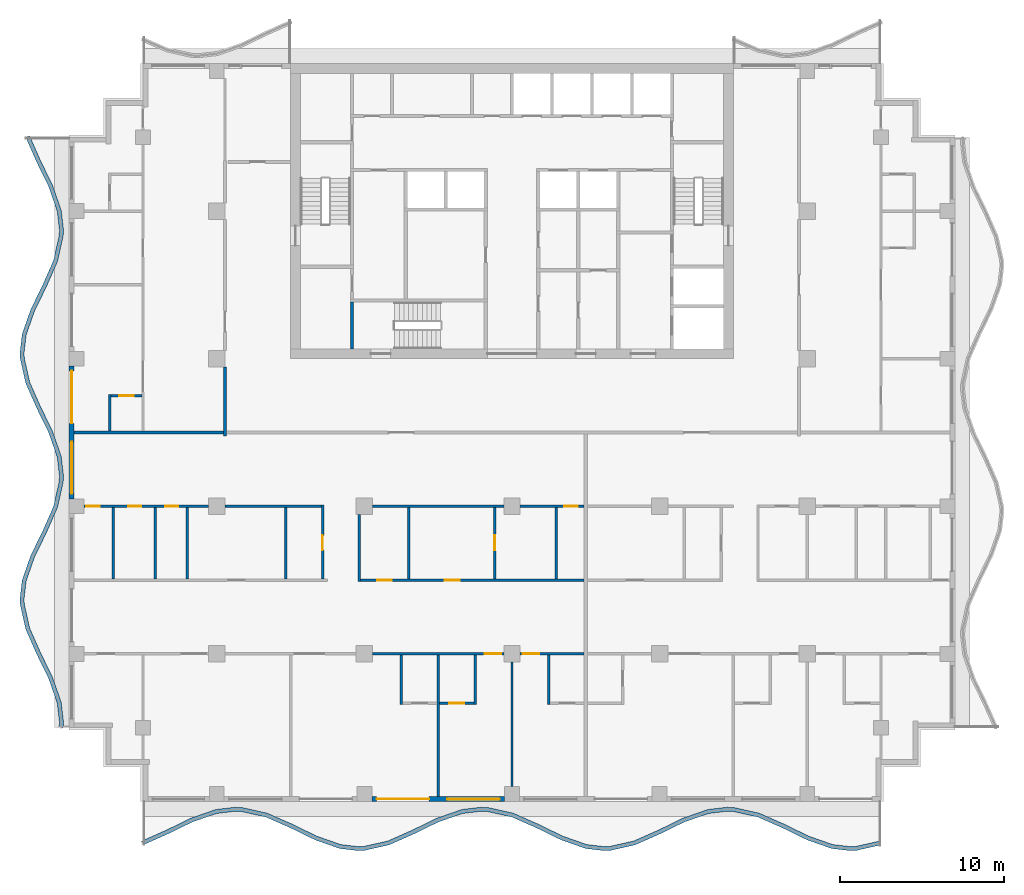
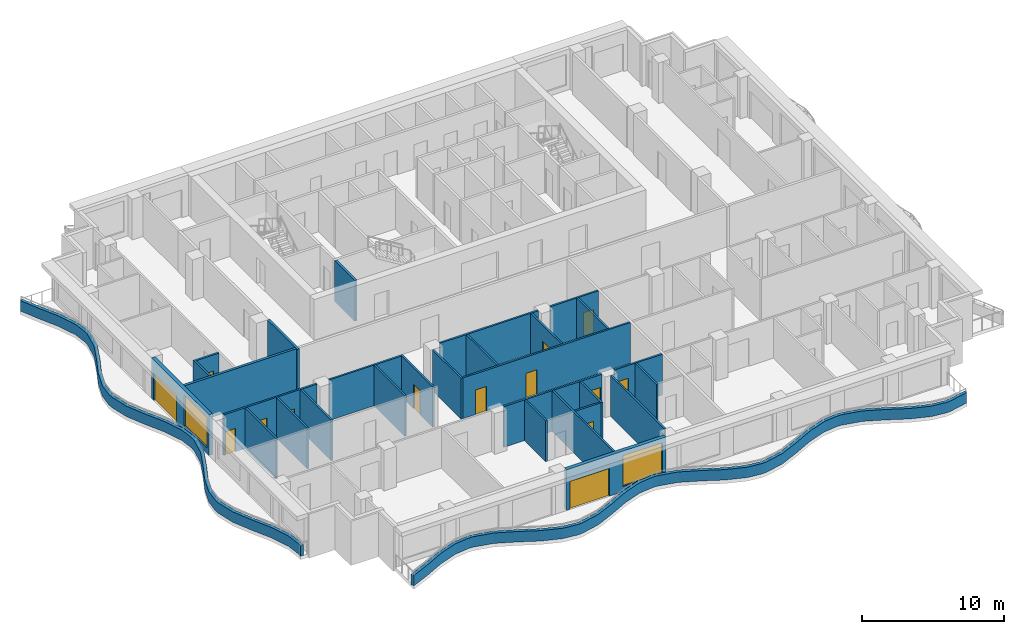
# One storey, part 2 of 11: 31 walls, 14 doors, 2 windows, 16 openings.
"""IFC4 building model written with IfcOpenShell, lengths in metres."""

from ifc_helpers import new_model, si_unit, direction, frame, frame_2d, origin, place, context, subcontext, project, spatial, polyline, rectangle, outline, extrude, material, layer, layer_set, type_object, element, fill, save


model = new_model("IFC4")

# Units and contexts
model_context = context("Model", 3, precision=1e-05, world=origin(), true_north=direction((0.0, 1.0)))
body_context = subcontext(model_context, "Body", "Model", "MODEL_VIEW")
ifc_project = project(units=[si_unit("LENGTHUNIT", "METRE"), si_unit("AREAUNIT", "SQUARE_METRE"), si_unit("VOLUMEUNIT", "CUBIC_METRE"), si_unit("PLANEANGLEUNIT", "RADIAN"), si_unit("MASSUNIT", "GRAM", prefix="KILO")], contexts=[model_context])

# Site, building, storey
site_placement = place(None, origin())
site = spatial("IfcSite", under=ifc_project, at=site_placement, CompositionType="ELEMENT")
building_placement = place(site_placement, origin())
building = spatial("IfcBuilding", under=site, at=building_placement, Name="Orbiselva Terraces", CompositionType="ELEMENT")
storey_placement = place(building_placement, frame((0.0, 0.0, 254.0)))
storey = spatial("IfcBuildingStorey", under=building, at=storey_placement, Name="L64", CompositionType="ELEMENT", Elevation=254.0)

# Walls
ifc_material_1 = material(Name="Concrete C60/75", Category="concrete")
ifc_layer_1 = layer(ifc_material_1, 0.2)
ifc_layer_set_1 = layer_set([ifc_layer_1], Name="Concrete C60/75")
wall_type_1 = type_object("IfcWallType", Name="CORE-WALL-SHEAR-200", PredefinedType="SHEAR", material=ifc_layer_set_1)
wall_1_placement = place(storey_placement, frame((-9.75, 5.1, 0.0), z_axis=(0.0, 0.0, 1.0), x_axis=(0.0, 1.0, 0.0)))
element("IfcWall", 1, at=wall_1_placement, inside=storey, type_object=wall_type_1, Name="L64 core wall 03", PredefinedType="SHEAR", context=body_context, shape_type="SweptSolid", body=[
    extrude(rectangle(XDim=2.85, YDim=0.2, at=frame_2d((1.425, 0.0))), origin(), (0.0, 0.0, 1.0), 3.5),
])
ifc_material_2 = material(Name="Concrete C40/50", Category="concrete")
ifc_layer_2 = layer(ifc_material_2, 0.25)
ifc_layer_set_2 = layer_set([ifc_layer_2], Name="Concrete C40/50")
wall_type_2 = type_object("IfcWallType", Name="ENV-PLANTER-250x900", PredefinedType="USERDEFINED", material=ifc_layer_set_2)
wall_2_placement = place(storey_placement, origin())
element("IfcWall", 2, at=wall_2_placement, inside=storey, type_object=wall_type_2, Name="Balcony planter L64 S", ObjectType="PLANTER", PredefinedType="USERDEFINED", context=body_context, shape_type="SweptSolid", body=[
    extrude(outline(polyline([(-22.5, -25.148528), (-21.0, -24.487721), (-19.5, -23.755211), (-18.0, -23.230792), (-16.875, -23.1), (-16.5, -23.114774), (-15.0, -23.451472), (-13.5, -24.112279), (-12.0, -24.844789), (-10.5, -25.369208), (-9.375, -25.5), (-9.0, -25.485226), (-7.5, -25.148528), (-6.0, -24.487721), (-4.5, -23.755211), (-3.0, -23.230792), (-1.875, -23.1), (-1.5, -23.114774), (0.0, -23.451472), (1.5, -24.112279), (3.0, -24.844789), (4.5, -25.369208), (5.625, -25.5), (6.0, -25.485226), (7.5, -25.148528), (9.0, -24.487721), (10.5, -23.755211), (12.0, -23.230792), (13.125, -23.1), (13.5, -23.114774), (15.0, -23.451472), (16.5, -24.112279), (18.0, -24.844789), (19.5, -25.369208), (20.625, -25.5), (21.0, -25.485226), (22.5, -25.148528), (22.445246, -24.904598), (20.967435, -25.236315), (20.634572, -25.249429), (19.556371, -25.124078), (18.09644, -24.613667), (16.605286, -23.885477), (15.078508, -23.212874), (13.532565, -22.865863), (13.115428, -22.849429), (11.943629, -22.985662), (10.40356, -23.524089), (8.894714, -24.260919), (7.421492, -24.90993), (5.967435, -25.236315), (5.634572, -25.249429), (4.556371, -25.124078), (3.09644, -24.613667), (1.605286, -23.885477), (0.078508, -23.212874), (-1.467435, -22.865863), (-1.884572, -22.849429), (-3.056371, -22.985662), (-4.59644, -23.524089), (-6.105286, -24.260919), (-7.578508, -24.90993), (-9.032565, -25.236315), (-9.365428, -25.249429), (-10.443629, -25.124078), (-11.90356, -24.613667), (-13.394714, -23.885477), (-14.921492, -23.212874), (-16.467435, -22.865863), (-16.884572, -22.849429), (-18.056371, -22.985662), (-19.59644, -23.524089), (-21.105286, -24.260919), (-22.600788, -24.919745), (-22.5, -25.148528)])), origin(), (0.0, 0.0, 1.0), 0.9),
])
wall_3_placement = place(storey_placement, origin())
element("IfcWall", 3, at=wall_3_placement, inside=storey, type_object=wall_type_2, Name="Balcony planter L64 W", ObjectType="PLANTER", PredefinedType="USERDEFINED", context=body_context, shape_type="SweptSolid", body=[
    extrude(outline(polyline([(-29.648528, 18.0), (-28.987721, 16.5), (-28.255211, 15.0), (-27.730792, 13.5), (-27.6, 12.375), (-27.614774, 12.0), (-27.951472, 10.5), (-28.612279, 9.0), (-29.344789, 7.5), (-29.869208, 6.0), (-30.0, 4.875), (-29.985226, 4.5), (-29.648528, 3.0), (-28.987721, 1.5), (-28.255211, 0.0), (-27.730792, -1.5), (-27.6, -2.625), (-27.614774, -3.0), (-27.951472, -4.5), (-28.612279, -6.0), (-29.344789, -7.5), (-29.869208, -9.0), (-30.0, -10.125), (-29.985226, -10.5), (-29.648528, -12.0), (-28.987721, -13.5), (-28.255211, -15.0), (-27.730792, -16.5), (-27.6, -17.625), (-27.614774, -18.0), (-27.364968, -18.009842), (-27.349429, -17.615428), (-27.485662, -16.443629), (-28.024089, -14.90356), (-28.760919, -13.394714), (-29.40993, -11.921492), (-29.736315, -10.467435), (-29.749429, -10.134572), (-29.624078, -9.056371), (-29.113667, -7.59644), (-28.385477, -6.105286), (-27.712874, -4.578508), (-27.365863, -3.032565), (-27.349429, -2.615428), (-27.485662, -1.443629), (-28.024089, 0.09644), (-28.760919, 1.605286), (-29.40993, 3.078508), (-29.736315, 4.532565), (-29.749429, 4.865428), (-29.624078, 5.943629), (-29.113667, 7.40356), (-28.385477, 8.894714), (-27.712874, 10.421492), (-27.365863, 11.967435), (-27.349429, 12.384572), (-27.485662, 13.556371), (-28.024089, 15.09644), (-28.760919, 16.605286), (-29.419745, 18.100788), (-29.648528, 18.0)])), origin(), (0.0, 0.0, 1.0), 0.9),
])

# Wall, openings, door, window
ifc_material_3 = material(Name="Terracotta cladding on masonry backing", Category="masonry")
ifc_layer_3 = layer(ifc_material_3, 0.3)
ifc_layer_set_3 = layer_set([ifc_layer_3], Name="Terracotta cladding on masonry backing")
wall_type_3 = type_object("IfcWallType", Name="ENV-WALL-TERRACOTTA-300", PredefinedType="SOLIDWALL", material=ifc_layer_set_3)
wall_4_placement = place(storey_placement, frame((-0.45, -22.35, 0.0), z_axis=(0.0, 0.0, 1.0), x_axis=(-1.0, 0.0, 0.0)))
wall_4 = element("IfcWall", 4, at=wall_4_placement, inside=storey, type_object=wall_type_3, Name="Facade wall L64 S", PredefinedType="SOLIDWALL", context=body_context, shape_type="SweptSolid", body=[
    extrude(rectangle(XDim=8.1, YDim=0.3, at=frame_2d((4.05, 0.0))), origin(), (0.0, 0.0, 1.0), 3.5),
])
opening_1_placement = place(wall_4_placement, frame((4.6, 0.0, 0.0)))
opening_1 = element("IfcOpeningElement", 5, at=opening_1_placement, cuts=wall_4, Name="Opening Z5-B-E02", PredefinedType="OPENING", context=body_context, shape_type="SweptSolid", body=[
    extrude(rectangle(XDim=3.2, YDim=2.4, at=frame_2d((1.6, 1.2))), frame((0.0, 0.16, 0.0), z_axis=(0.0, -1.0, 0.0), x_axis=(1.0, 0.0, 0.0)), (0.0, 0.0, 1.0), 0.32),
])
opening_2_placement = place(wall_4_placement, frame((0.3, 0.0, 0.45)))
opening_2 = element("IfcOpeningElement", 6, at=opening_2_placement, cuts=wall_4, Name="Opening WN17", PredefinedType="OPENING", context=body_context, shape_type="SweptSolid", body=[
    extrude(rectangle(XDim=3.2, YDim=2.65, at=frame_2d((1.6, 1.325))), frame((0.0, 0.16, 0.0), z_axis=(0.0, -1.0, 0.0), x_axis=(1.0, 0.0, 0.0)), (0.0, 0.0, 1.0), 0.32),
])
ifc_material_4 = material(Name="Clear low-e glazing in aluminium frame", Category="aluminium")
door_type_1 = type_object("IfcDoorType", Name="BALCONY DOOR 3200 X 2400", OperationType="DOUBLE_DOOR_SLIDING", PredefinedType="DOOR", material=ifc_material_4)
door_1_placement = place(opening_1_placement, origin())
door_1 = element("IfcDoor", 7, at=door_1_placement, inside=storey, type_object=door_type_1, Name="Z5-B-E02", OperationType="SINGLE_SWING_LEFT", OverallHeight=2.4, OverallWidth=3.2, PredefinedType="DOOR", context=body_context, shape_type="SweptSolid", body=[
    extrude(rectangle(XDim=3.2, YDim=2.4, at=frame_2d((1.6, 1.2))), frame((0.0, 0.025, 0.0), z_axis=(0.0, -1.0, 0.0), x_axis=(1.0, 0.0, 0.0)), (0.0, 0.0, 1.0), 0.05),
])
fill(opening_1, door_1)
window_type = type_object("IfcWindowType", Name="WINDOW 3200 X 2650 S450", PartitioningType="TRIPLE_PANEL_VERTICAL", PredefinedType="WINDOW", material=ifc_material_4)
window_1_placement = place(opening_2_placement, origin())
window_1 = element("IfcWindow", 8, at=window_1_placement, inside=storey, type_object=window_type, Name="Window L64 S", OverallHeight=2.65, OverallWidth=3.2, PartitioningType="SINGLE_PANEL", PredefinedType="WINDOW", context=body_context, shape_type="SweptSolid", body=[
    extrude(rectangle(XDim=3.2, YDim=2.65, at=frame_2d((1.6, 1.325))), frame((0.0, 0.03, 0.0), z_axis=(0.0, -1.0, 0.0), x_axis=(1.0, 0.0, 0.0)), (0.0, 0.0, 1.0), 0.06),
])
fill(opening_2, window_1)

wall_5_placement = place(storey_placement, frame((-26.85, -4.05, 0.0), z_axis=(0.0, 0.0, 1.0), x_axis=(0.0, 1.0, 0.0)))
wall_5 = element("IfcWall", 9, at=wall_5_placement, inside=storey, type_object=wall_type_3, Name="Facade wall L64 W", PredefinedType="SOLIDWALL", context=body_context, shape_type="SweptSolid", body=[
    extrude(rectangle(XDim=8.1, YDim=0.3, at=frame_2d((4.05, 0.0))), origin(), (0.0, 0.0, 1.0), 3.5),
])
opening_3_placement = place(wall_5_placement, frame((4.6, 0.0, 0.0)))
opening_3 = element("IfcOpeningElement", 10, at=opening_3_placement, cuts=wall_5, Name="Opening Z5-B-E11", PredefinedType="OPENING", context=body_context, shape_type="SweptSolid", body=[
    extrude(rectangle(XDim=3.2, YDim=2.4, at=frame_2d((1.6, 1.2))), frame((0.0, 0.16, 0.0), z_axis=(0.0, -1.0, 0.0), x_axis=(1.0, 0.0, 0.0)), (0.0, 0.0, 1.0), 0.32),
])
opening_4_placement = place(wall_5_placement, frame((0.3, 0.0, 0.45)))
opening_4 = element("IfcOpeningElement", 11, at=opening_4_placement, cuts=wall_5, Name="Opening WN17", PredefinedType="OPENING", context=body_context, shape_type="SweptSolid", body=[
    extrude(rectangle(XDim=3.2, YDim=2.65, at=frame_2d((1.6, 1.325))), frame((0.0, 0.16, 0.0), z_axis=(0.0, -1.0, 0.0), x_axis=(1.0, 0.0, 0.0)), (0.0, 0.0, 1.0), 0.32),
])
door_2_placement = place(opening_3_placement, origin())
door_2 = element("IfcDoor", 12, at=door_2_placement, inside=storey, type_object=door_type_1, Name="Z5-B-E11", OperationType="SINGLE_SWING_LEFT", OverallHeight=2.4, OverallWidth=3.2, PredefinedType="DOOR", context=body_context, shape_type="SweptSolid", body=[
    extrude(rectangle(XDim=3.2, YDim=2.4, at=frame_2d((1.6, 1.2))), frame((0.0, 0.025, 0.0), z_axis=(0.0, -1.0, 0.0), x_axis=(1.0, 0.0, 0.0)), (0.0, 0.0, 1.0), 0.05),
])
fill(opening_3, door_2)
window_2_placement = place(opening_4_placement, origin())
window_2 = element("IfcWindow", 13, at=window_2_placement, inside=storey, type_object=window_type, Name="Window L64 W", OverallHeight=2.65, OverallWidth=3.2, PartitioningType="SINGLE_PANEL", PredefinedType="WINDOW", context=body_context, shape_type="SweptSolid", body=[
    extrude(rectangle(XDim=3.2, YDim=2.65, at=frame_2d((1.6, 1.325))), frame((0.0, 0.03, 0.0), z_axis=(0.0, -1.0, 0.0), x_axis=(1.0, 0.0, 0.0)), (0.0, 0.0, 1.0), 0.06),
])
fill(opening_4, window_2)

# Wall
ifc_material_5 = material(Name="Plasterboard on steel stud partition", Category="steel")
ifc_layer_4 = layer(ifc_material_5, 0.2)
ifc_layer_set_4 = layer_set([ifc_layer_4], Name="Plasterboard on steel stud partition")
wall_type_4 = type_object("IfcWallType", Name="UNIT-ENTRANCE-WALL-200", PredefinedType="PARTITIONING", material=ifc_layer_set_4)
wall_6_placement = place(storey_placement, frame((-17.5, -0.2, 0.0), z_axis=(0.0, 0.0, 1.0), x_axis=(0.0, 1.0, 0.0)))
element("IfcWall", 14, at=wall_6_placement, inside=storey, type_object=wall_type_4, Name="PARTITION L64-048", PredefinedType="PARTITIONING", context=body_context, shape_type="SweptSolid", body=[
    extrude(rectangle(XDim=4.2, YDim=0.2, at=frame_2d((2.1, 0.0))), origin(), (0.0, 0.0, 1.0), 3.5),
])

# Wall, opening, door
ifc_layer_5 = layer(ifc_material_5, 0.15)
ifc_layer_set_5 = layer_set([ifc_layer_5], Name="Plasterboard on steel stud partition")
wall_type_5 = type_object("IfcWallType", Name="UNIT-PARTITION-150", PredefinedType="PARTITIONING", material=ifc_layer_set_5)
wall_7_placement = place(storey_placement, frame((-4.425, -16.5, 0.0), z_axis=(0.0, 0.0, 1.0), x_axis=(1.0, 0.0, 0.0)))
wall_7 = element("IfcWall", 15, at=wall_7_placement, inside=storey, type_object=wall_type_5, Name="PARTITION L64-002", PredefinedType="PARTITIONING", context=body_context, shape_type="SweptSolid", body=[
    extrude(rectangle(XDim=2.1, YDim=0.15, at=frame_2d((1.05, 0.0))), origin(), (0.0, 0.0, 1.0), 3.5),
])
opening_5_placement = place(wall_7_placement, frame((0.6, 0.0, 0.0)))
opening_5 = element("IfcOpeningElement", 16, at=opening_5_placement, cuts=wall_7, Name="Opening Z5-B-29", PredefinedType="OPENING", context=body_context, shape_type="SweptSolid", body=[
    extrude(rectangle(XDim=0.9, YDim=2.1, at=frame_2d((0.45, 1.05))), frame((0.0, 0.085, 0.0), z_axis=(0.0, -1.0, 0.0), x_axis=(1.0, 0.0, 0.0)), (0.0, 0.0, 1.0), 0.17),
])
ifc_material_6 = material(Name="Painted timber door leaf", Category="wood")
door_type_2 = type_object("IfcDoorType", Name="BATH DOOR 900", OperationType="NOTDEFINED", PredefinedType="DOOR", material=ifc_material_6)
door_3_placement = place(opening_5_placement, origin())
door_3 = element("IfcDoor", 17, at=door_3_placement, inside=storey, type_object=door_type_2, Name="Z5-B-29", OperationType="SINGLE_SWING_RIGHT", OverallHeight=2.1, OverallWidth=0.9, PredefinedType="DOOR", context=body_context, shape_type="SweptSolid", body=[
    extrude(rectangle(XDim=0.9, YDim=2.1, at=frame_2d((0.45, 1.05))), frame((0.0, 0.025, 0.0), z_axis=(0.0, -1.0, 0.0), x_axis=(1.0, 0.0, 0.0)), (0.0, 0.0, 1.0), 0.05),
])
fill(opening_5, door_3)

wall_8_placement = place(storey_placement, frame((-0.5, -13.5, 0.0), z_axis=(0.0, 0.0, 1.0), x_axis=(-1.0, 0.0, 0.0)))
wall_8 = element("IfcWall", 18, at=wall_8_placement, inside=storey, type_object=wall_type_5, Name="PARTITION L64-009", PredefinedType="PARTITIONING", context=body_context, shape_type="SweptSolid", body=[
    extrude(rectangle(XDim=8.0, YDim=0.15, at=frame_2d((4.0, 0.0))), origin(), (0.0, 0.0, 1.0), 3.5),
])
opening_6_placement = place(wall_8_placement, frame((0.15, 0.0, 0.0)))
opening_6 = element("IfcOpeningElement", 19, at=opening_6_placement, cuts=wall_8, Name="Opening Z5-B-28", PredefinedType="OPENING", context=body_context, shape_type="SweptSolid", body=[
    extrude(rectangle(XDim=1.0, YDim=2.4, at=frame_2d((0.5, 1.2))), frame((0.0, 0.085, 0.0), z_axis=(0.0, -1.0, 0.0), x_axis=(1.0, 0.0, 0.0)), (0.0, 0.0, 1.0), 0.17),
])
door_type_3 = type_object("IfcDoorType", Name="ROOM DOOR 1000", OperationType="NOTDEFINED", PredefinedType="DOOR", material=ifc_material_6)
door_4_placement = place(opening_6_placement, origin())
door_4 = element("IfcDoor", 20, at=door_4_placement, inside=storey, type_object=door_type_3, Name="Z5-B-28", OperationType="SINGLE_SWING_LEFT", OverallHeight=2.4, OverallWidth=1.0, PredefinedType="DOOR", context=body_context, shape_type="SweptSolid", body=[
    extrude(rectangle(XDim=1.0, YDim=2.4, at=frame_2d((0.5, 1.2))), frame((0.0, 0.025, 0.0), z_axis=(0.0, -1.0, 0.0), x_axis=(1.0, 0.0, 0.0)), (0.0, 0.0, 1.0), 0.05),
])
fill(opening_6, door_4)

wall_9_placement = place(storey_placement, frame((4.4, -13.5, 0.0), z_axis=(0.0, 0.0, 1.0), x_axis=(-1.0, 0.0, 0.0)))
wall_9 = element("IfcWall", 21, at=wall_9_placement, inside=storey, type_object=wall_type_5, Name="PARTITION L64-010", PredefinedType="PARTITIONING", context=body_context, shape_type="SweptSolid", body=[
    extrude(rectangle(XDim=3.9, YDim=0.15, at=frame_2d((1.95, 0.0))), origin(), (0.0, 0.0, 1.0), 3.5),
])
opening_7_placement = place(wall_9_placement, frame((2.75, 0.0, 0.0)))
opening_7 = element("IfcOpeningElement", 22, at=opening_7_placement, cuts=wall_9, Name="Opening Z5-B-30", PredefinedType="OPENING", context=body_context, shape_type="SweptSolid", body=[
    extrude(rectangle(XDim=1.0, YDim=2.4, at=frame_2d((0.5, 1.2))), frame((0.0, 0.085, 0.0), z_axis=(0.0, -1.0, 0.0), x_axis=(1.0, 0.0, 0.0)), (0.0, 0.0, 1.0), 0.17),
])
door_5_placement = place(opening_7_placement, origin())
door_5 = element("IfcDoor", 23, at=door_5_placement, inside=storey, type_object=door_type_3, Name="Z5-B-30", OperationType="SINGLE_SWING_RIGHT", OverallHeight=2.4, OverallWidth=1.0, PredefinedType="DOOR", context=body_context, shape_type="SweptSolid", body=[
    extrude(rectangle(XDim=1.0, YDim=2.4, at=frame_2d((0.5, 1.2))), frame((0.0, 0.025, 0.0), z_axis=(0.0, -1.0, 0.0), x_axis=(1.0, 0.0, 0.0)), (0.0, 0.0, 1.0), 0.05),
])
fill(opening_7, door_5)

# Wall, openings, doors
wall_10_placement = place(storey_placement, frame((-9.225, -9.0, 0.0), z_axis=(0.0, 0.0, 1.0), x_axis=(1.0, 0.0, 0.0)))
wall_10 = element("IfcWall", 24, at=wall_10_placement, inside=storey, type_object=wall_type_5, Name="PARTITION L64-015", PredefinedType="PARTITIONING", context=body_context, shape_type="SweptSolid", body=[
    extrude(rectangle(XDim=13.625, YDim=0.15, at=frame_2d((6.8125, 0.0))), origin(), (0.0, 0.0, 1.0), 3.5),
])
opening_8_placement = place(wall_10_placement, frame((1.0, 0.0, 0.0)))
opening_8 = element("IfcOpeningElement", 25, at=opening_8_placement, cuts=wall_10, Name="Opening Z5-B-20", PredefinedType="OPENING", context=body_context, shape_type="SweptSolid", body=[
    extrude(rectangle(XDim=0.9, YDim=2.1, at=frame_2d((0.45, 1.05))), frame((0.0, 0.085, 0.0), z_axis=(0.0, -1.0, 0.0), x_axis=(1.0, 0.0, 0.0)), (0.0, 0.0, 1.0), 0.17),
])
opening_9_placement = place(wall_10_placement, frame((5.125, 0.0, 0.0)))
opening_9 = element("IfcOpeningElement", 26, at=opening_9_placement, cuts=wall_10, Name="Opening Z5-B-21", PredefinedType="OPENING", context=body_context, shape_type="SweptSolid", body=[
    extrude(rectangle(XDim=0.9, YDim=2.1, at=frame_2d((0.45, 1.05))), frame((0.0, 0.085, 0.0), z_axis=(0.0, -1.0, 0.0), x_axis=(1.0, 0.0, 0.0)), (0.0, 0.0, 1.0), 0.17),
])
door_type_4 = type_object("IfcDoorType", Name="SERVICE DOOR 900", OperationType="NOTDEFINED", PredefinedType="DOOR", material=ifc_material_6)
door_6_placement = place(opening_8_placement, origin())
door_6 = element("IfcDoor", 27, at=door_6_placement, inside=storey, type_object=door_type_4, Name="Z5-B-20", OperationType="SINGLE_SWING_LEFT", OverallHeight=2.1, OverallWidth=0.9, PredefinedType="DOOR", context=body_context, shape_type="SweptSolid", body=[
    extrude(rectangle(XDim=0.9, YDim=2.1, at=frame_2d((0.45, 1.05))), frame((0.0, 0.025, 0.0), z_axis=(0.0, -1.0, 0.0), x_axis=(1.0, 0.0, 0.0)), (0.0, 0.0, 1.0), 0.05),
])
fill(opening_8, door_6)
door_7_placement = place(opening_9_placement, origin())
door_7 = element("IfcDoor", 28, at=door_7_placement, inside=storey, type_object=door_type_4, Name="Z5-B-21", OperationType="SINGLE_SWING_LEFT", OverallHeight=2.1, OverallWidth=0.9, PredefinedType="DOOR", context=body_context, shape_type="SweptSolid", body=[
    extrude(rectangle(XDim=0.9, YDim=2.1, at=frame_2d((0.45, 1.05))), frame((0.0, 0.025, 0.0), z_axis=(0.0, -1.0, 0.0), x_axis=(1.0, 0.0, 0.0)), (0.0, 0.0, 1.0), 0.05),
])
fill(opening_9, door_7)

wall_11_placement = place(storey_placement, frame((-18.5, -4.5, 0.0), z_axis=(0.0, 0.0, 1.0), x_axis=(-1.0, 0.0, 0.0)))
wall_11 = element("IfcWall", 29, at=wall_11_placement, inside=storey, type_object=wall_type_5, Name="PARTITION L64-018", PredefinedType="PARTITIONING", context=body_context, shape_type="SweptSolid", body=[
    extrude(rectangle(XDim=7.6, YDim=0.15, at=frame_2d((3.8, 0.0))), origin(), (0.0, 0.0, 1.0), 3.5),
])
opening_10_placement = place(wall_11_placement, frame((6.65, 0.0, 0.0)))
opening_10 = element("IfcOpeningElement", 30, at=opening_10_placement, cuts=wall_11, Name="Opening Z5-B-15", PredefinedType="OPENING", context=body_context, shape_type="SweptSolid", body=[
    extrude(rectangle(XDim=0.8, YDim=2.0, at=frame_2d((0.4, 1.0))), frame((0.0, 0.085, 0.0), z_axis=(0.0, -1.0, 0.0), x_axis=(1.0, 0.0, 0.0)), (0.0, 0.0, 1.0), 0.17),
])
opening_11_placement = place(wall_11_placement, frame((4.1, 0.0, 0.0)))
opening_11 = element("IfcOpeningElement", 31, at=opening_11_placement, cuts=wall_11, Name="Opening Z5-B-16", PredefinedType="OPENING", context=body_context, shape_type="SweptSolid", body=[
    extrude(rectangle(XDim=0.8, YDim=2.0, at=frame_2d((0.4, 1.0))), frame((0.0, 0.085, 0.0), z_axis=(0.0, -1.0, 0.0), x_axis=(1.0, 0.0, 0.0)), (0.0, 0.0, 1.0), 0.17),
])
opening_12_placement = place(wall_11_placement, frame((1.85, 0.0, 0.0)))
opening_12 = element("IfcOpeningElement", 32, at=opening_12_placement, cuts=wall_11, Name="Opening Z5-B-17", PredefinedType="OPENING", context=body_context, shape_type="SweptSolid", body=[
    extrude(rectangle(XDim=0.8, YDim=2.0, at=frame_2d((0.4, 1.0))), frame((0.0, 0.085, 0.0), z_axis=(0.0, -1.0, 0.0), x_axis=(1.0, 0.0, 0.0)), (0.0, 0.0, 1.0), 0.17),
])
door_type_5 = type_object("IfcDoorType", Name="STORE DOOR 800", OperationType="NOTDEFINED", PredefinedType="DOOR", material=ifc_material_6)
door_8_placement = place(opening_10_placement, origin())
door_8 = element("IfcDoor", 33, at=door_8_placement, inside=storey, type_object=door_type_5, Name="Z5-B-15", OperationType="SINGLE_SWING_RIGHT", OverallHeight=2.0, OverallWidth=0.8, PredefinedType="DOOR", context=body_context, shape_type="SweptSolid", body=[
    extrude(rectangle(XDim=0.8, YDim=2.0, at=frame_2d((0.4, 1.0))), frame((0.0, 0.025, 0.0), z_axis=(0.0, -1.0, 0.0), x_axis=(1.0, 0.0, 0.0)), (0.0, 0.0, 1.0), 0.05),
])
fill(opening_10, door_8)
door_9_placement = place(opening_11_placement, origin())
door_9 = element("IfcDoor", 34, at=door_9_placement, inside=storey, type_object=door_type_5, Name="Z5-B-16", OperationType="SINGLE_SWING_RIGHT", OverallHeight=2.0, OverallWidth=0.8, PredefinedType="DOOR", context=body_context, shape_type="SweptSolid", body=[
    extrude(rectangle(XDim=0.8, YDim=2.0, at=frame_2d((0.4, 1.0))), frame((0.0, 0.025, 0.0), z_axis=(0.0, -1.0, 0.0), x_axis=(1.0, 0.0, 0.0)), (0.0, 0.0, 1.0), 0.05),
])
fill(opening_11, door_9)
door_10_placement = place(opening_12_placement, origin())
door_10 = element("IfcDoor", 35, at=door_10_placement, inside=storey, type_object=door_type_5, Name="Z5-B-17", OperationType="SINGLE_SWING_LEFT", OverallHeight=2.0, OverallWidth=0.8, PredefinedType="DOOR", context=body_context, shape_type="SweptSolid", body=[
    extrude(rectangle(XDim=0.8, YDim=2.0, at=frame_2d((0.4, 1.0))), frame((0.0, 0.025, 0.0), z_axis=(0.0, -1.0, 0.0), x_axis=(1.0, 0.0, 0.0)), (0.0, 0.0, 1.0), 0.05),
])
fill(opening_12, door_10)

# Walls
wall_12_placement = place(storey_placement, frame((-17.5, -4.5, 0.0), z_axis=(0.0, 0.0, 1.0), x_axis=(1.0, 0.0, 0.0)))
element("IfcWall", 36, at=wall_12_placement, inside=storey, type_object=wall_type_5, Name="PARTITION L64-019", PredefinedType="PARTITIONING", context=body_context, shape_type="SweptSolid", body=[
    extrude(rectangle(XDim=5.875, YDim=0.15, at=frame_2d((2.9375, 0.0))), origin(), (0.0, 0.0, 1.0), 3.5),
])
wall_13_placement = place(storey_placement, frame((-8.5, -4.5, 0.0), z_axis=(0.0, 0.0, 1.0), x_axis=(1.0, 0.0, 0.0)))
element("IfcWall", 37, at=wall_13_placement, inside=storey, type_object=wall_type_5, Name="PARTITION L64-020", PredefinedType="PARTITIONING", context=body_context, shape_type="SweptSolid", body=[
    extrude(rectangle(XDim=8.0, YDim=0.15, at=frame_2d((4.0, 0.0))), origin(), (0.0, 0.0, 1.0), 3.5),
])

# Wall, opening, door
wall_14_placement = place(storey_placement, frame((4.4, -4.5, 0.0), z_axis=(0.0, 0.0, 1.0), x_axis=(-1.0, 0.0, 0.0)))
wall_14 = element("IfcWall", 38, at=wall_14_placement, inside=storey, type_object=wall_type_5, Name="PARTITION L64-021", PredefinedType="PARTITIONING", context=body_context, shape_type="SweptSolid", body=[
    extrude(rectangle(XDim=3.9, YDim=0.15, at=frame_2d((1.95, 0.0))), origin(), (0.0, 0.0, 1.0), 3.5),
])
opening_13_placement = place(wall_14_placement, frame((0.4, 0.0, 0.0)))
opening_13 = element("IfcOpeningElement", 39, at=opening_13_placement, cuts=wall_14, Name="Opening Z5-B-23", PredefinedType="OPENING", context=body_context, shape_type="SweptSolid", body=[
    extrude(rectangle(XDim=0.8, YDim=2.0, at=frame_2d((0.4, 1.0))), frame((0.0, 0.085, 0.0), z_axis=(0.0, -1.0, 0.0), x_axis=(1.0, 0.0, 0.0)), (0.0, 0.0, 1.0), 0.17),
])
door_11_placement = place(opening_13_placement, origin())
door_11 = element("IfcDoor", 40, at=door_11_placement, inside=storey, type_object=door_type_5, Name="Z5-B-23", OperationType="SINGLE_SWING_LEFT", OverallHeight=2.0, OverallWidth=0.8, PredefinedType="DOOR", context=body_context, shape_type="SweptSolid", body=[
    extrude(rectangle(XDim=0.8, YDim=2.0, at=frame_2d((0.4, 1.0))), frame((0.0, 0.025, 0.0), z_axis=(0.0, -1.0, 0.0), x_axis=(1.0, 0.0, 0.0)), (0.0, 0.0, 1.0), 0.05),
])
fill(opening_13, door_11)

wall_15_placement = place(storey_placement, frame((-22.575, 2.25, 0.0), z_axis=(0.0, 0.0, 1.0), x_axis=(-1.0, 0.0, 0.0)))
wall_15 = element("IfcWall", 41, at=wall_15_placement, inside=storey, type_object=wall_type_5, Name="PARTITION L64-029", PredefinedType="PARTITIONING", context=body_context, shape_type="SweptSolid", body=[
    extrude(rectangle(XDim=1.875, YDim=0.15, at=frame_2d((0.9375, 0.0))), origin(), (0.0, 0.0, 1.0), 3.5),
])
opening_14_placement = place(wall_15_placement, frame((0.475, 0.0, 0.0)))
opening_14 = element("IfcOpeningElement", 42, at=opening_14_placement, cuts=wall_15, Name="Opening Z5-B-04", PredefinedType="OPENING", context=body_context, shape_type="SweptSolid", body=[
    extrude(rectangle(XDim=0.9, YDim=2.1, at=frame_2d((0.45, 1.05))), frame((0.0, 0.085, 0.0), z_axis=(0.0, -1.0, 0.0), x_axis=(1.0, 0.0, 0.0)), (0.0, 0.0, 1.0), 0.17),
])
door_12_placement = place(opening_14_placement, origin())
door_12 = element("IfcDoor", 43, at=door_12_placement, inside=storey, type_object=door_type_2, Name="Z5-B-04", OperationType="SINGLE_SWING_LEFT", OverallHeight=2.1, OverallWidth=0.9, PredefinedType="DOOR", context=body_context, shape_type="SweptSolid", body=[
    extrude(rectangle(XDim=0.9, YDim=2.1, at=frame_2d((0.45, 1.05))), frame((0.0, 0.025, 0.0), z_axis=(0.0, -1.0, 0.0), x_axis=(1.0, 0.0, 0.0)), (0.0, 0.0, 1.0), 0.05),
])
fill(opening_14, door_12)

# Walls
wall_16_placement = place(storey_placement, frame((-24.525, 0.1, 0.0), z_axis=(0.0, 0.0, 1.0), x_axis=(0.0, 1.0, 0.0)))
element("IfcWall", 44, at=wall_16_placement, inside=storey, type_object=wall_type_5, Name="PARTITION L64-039", PredefinedType="PARTITIONING", context=body_context, shape_type="SweptSolid", body=[
    extrude(rectangle(XDim=2.225, YDim=0.15, at=frame_2d((1.1125, 0.0))), origin(), (0.0, 0.0, 1.0), 3.5),
])
for number, where, z_axis, x_axis, name in (
    (45, (-24.3, -8.925, 0.0), (0.0, 0.0, 1.0), (0.0, 1.0, 0.0), "PARTITION L64-041"),
    (46, (-21.75, -8.925, 0.0), (0.0, 0.0, 1.0), (0.0, 1.0, 0.0), "PARTITION L64-046"),
    (47, (-19.8, -8.925, 0.0), (0.0, 0.0, 1.0), (0.0, 1.0, 0.0), "PARTITION L64-047"),
    (48, (-13.8, -8.925, 0.0), (0.0, 0.0, 1.0), (0.0, 1.0, 0.0), "PARTITION L64-052"),
):
    element("IfcWall", number, at=place(storey_placement, frame(where, z_axis=z_axis, x_axis=x_axis)), inside=storey, type_object=wall_type_5, Name=name, PredefinedType="PARTITIONING", context=body_context, shape_type="SweptSolid", body=[
        extrude(rectangle(XDim=4.35, YDim=0.15, at=frame_2d((2.175, 0.0))), origin(), (0.0, 0.0, 1.0), 3.5),
    ])

# Wall, opening, door
wall_17_placement = place(storey_placement, frame((-11.55, -8.925, 0.0), z_axis=(0.0, 0.0, 1.0), x_axis=(0.0, 1.0, 0.0)))
wall_17 = element("IfcWall", 49, at=wall_17_placement, inside=storey, type_object=wall_type_5, Name="PARTITION L64-054", PredefinedType="PARTITIONING", context=body_context, shape_type="SweptSolid", body=[
    extrude(rectangle(XDim=4.5, YDim=0.15, at=frame_2d((2.25, 0.0))), origin(), (0.0, 0.0, 1.0), 3.5),
])
opening_15_placement = place(wall_17_placement, frame((1.75, 0.0, 0.0)))
opening_15 = element("IfcOpeningElement", 50, at=opening_15_placement, cuts=wall_17, Name="Opening Z5-B-19", PredefinedType="OPENING", context=body_context, shape_type="SweptSolid", body=[
    extrude(rectangle(XDim=0.9, YDim=2.1, at=frame_2d((0.45, 1.05))), frame((0.0, 0.085, 0.0), z_axis=(0.0, -1.0, 0.0), x_axis=(1.0, 0.0, 0.0)), (0.0, 0.0, 1.0), 0.17),
])
door_13_placement = place(opening_15_placement, origin())
door_13 = element("IfcDoor", 51, at=door_13_placement, inside=storey, type_object=door_type_2, Name="Z5-B-19", OperationType="SINGLE_SWING_LEFT", OverallHeight=2.1, OverallWidth=0.9, PredefinedType="DOOR", context=body_context, shape_type="SweptSolid", body=[
    extrude(rectangle(XDim=0.9, YDim=2.1, at=frame_2d((0.45, 1.05))), frame((0.0, 0.025, 0.0), z_axis=(0.0, -1.0, 0.0), x_axis=(1.0, 0.0, 0.0)), (0.0, 0.0, 1.0), 0.05),
])
fill(opening_15, door_13)

# Walls
wall_18_placement = place(storey_placement, frame((-9.3, -9.075, 0.0), z_axis=(0.0, 0.0, 1.0), x_axis=(0.0, 1.0, 0.0)))
element("IfcWall", 52, at=wall_18_placement, inside=storey, type_object=wall_type_5, Name="PARTITION L64-055", PredefinedType="PARTITIONING", context=body_context, shape_type="SweptSolid", body=[
    extrude(rectangle(XDim=4.075, YDim=0.15, at=frame_2d((2.0375, 0.0))), origin(), (0.0, 0.0, 1.0), 3.5),
])
wall_19_placement = place(storey_placement, frame((-6.75, -16.575, 0.0), z_axis=(0.0, 0.0, 1.0), x_axis=(0.0, 1.0, 0.0)))
element("IfcWall", 53, at=wall_19_placement, inside=storey, type_object=wall_type_5, Name="PARTITION L64-056", PredefinedType="PARTITIONING", context=body_context, shape_type="SweptSolid", body=[
    extrude(rectangle(XDim=3.0, YDim=0.15, at=frame_2d((1.5, 0.0))), origin(), (0.0, 0.0, 1.0), 3.5),
])
wall_20_placement = place(storey_placement, frame((-6.3, -8.925, 0.0), z_axis=(0.0, 0.0, 1.0), x_axis=(0.0, 1.0, 0.0)))
element("IfcWall", 54, at=wall_20_placement, inside=storey, type_object=wall_type_5, Name="PARTITION L64-057", PredefinedType="PARTITIONING", context=body_context, shape_type="SweptSolid", body=[
    extrude(rectangle(XDim=4.35, YDim=0.15, at=frame_2d((2.175, 0.0))), origin(), (0.0, 0.0, 1.0), 3.5),
])
wall_21_placement = place(storey_placement, frame((-4.5, -22.2, 0.0), z_axis=(0.0, 0.0, 1.0), x_axis=(0.0, 1.0, 0.0)))
element("IfcWall", 55, at=wall_21_placement, inside=storey, type_object=wall_type_5, Name="PARTITION L64-058", PredefinedType="PARTITIONING", context=body_context, shape_type="SweptSolid", body=[
    extrude(rectangle(XDim=8.625, YDim=0.15, at=frame_2d((4.3125, 0.0))), origin(), (0.0, 0.0, 1.0), 3.5),
])
wall_22_placement = place(storey_placement, frame((-2.25, -16.575, 0.0), z_axis=(0.0, 0.0, 1.0), x_axis=(0.0, 1.0, 0.0)))
element("IfcWall", 56, at=wall_22_placement, inside=storey, type_object=wall_type_5, Name="PARTITION L64-059", PredefinedType="PARTITIONING", context=body_context, shape_type="SweptSolid", body=[
    extrude(rectangle(XDim=3.0, YDim=0.15, at=frame_2d((1.5, 0.0))), origin(), (0.0, 0.0, 1.0), 3.5),
])

# Wall, opening, door
wall_23_placement = place(storey_placement, frame((-1.05, -4.575, 0.0), z_axis=(0.0, 0.0, 1.0), x_axis=(0.0, -1.0, 0.0)))
wall_23 = element("IfcWall", 57, at=wall_23_placement, inside=storey, type_object=wall_type_5, Name="PARTITION L64-060", PredefinedType="PARTITIONING", context=body_context, shape_type="SweptSolid", body=[
    extrude(rectangle(XDim=4.35, YDim=0.15, at=frame_2d((2.175, 0.0))), origin(), (0.0, 0.0, 1.0), 3.5),
])
opening_16_placement = place(wall_23_placement, frame((1.7, 0.0, 0.0)))
opening_16 = element("IfcOpeningElement", 58, at=opening_16_placement, cuts=wall_23, Name="Opening Z5-B-22", PredefinedType="OPENING", context=body_context, shape_type="SweptSolid", body=[
    extrude(rectangle(XDim=0.9, YDim=2.1, at=frame_2d((0.45, 1.05))), frame((0.0, 0.085, 0.0), z_axis=(0.0, -1.0, 0.0), x_axis=(1.0, 0.0, 0.0)), (0.0, 0.0, 1.0), 0.17),
])
door_14_placement = place(opening_16_placement, origin())
door_14 = element("IfcDoor", 59, at=door_14_placement, inside=storey, type_object=door_type_2, Name="Z5-B-22", OperationType="SINGLE_SWING_LEFT", OverallHeight=2.1, OverallWidth=0.9, PredefinedType="DOOR", context=body_context, shape_type="SweptSolid", body=[
    extrude(rectangle(XDim=0.9, YDim=2.1, at=frame_2d((0.45, 1.05))), frame((0.0, 0.025, 0.0), z_axis=(0.0, -1.0, 0.0), x_axis=(1.0, 0.0, 0.0)), (0.0, 0.0, 1.0), 0.05),
])
fill(opening_16, door_14)

# Walls
wall_24_placement = place(storey_placement, frame((0.0, -21.6, 0.0), z_axis=(0.0, 0.0, 1.0), x_axis=(0.0, 1.0, 0.0)))
element("IfcWall", 60, at=wall_24_placement, inside=storey, type_object=wall_type_5, Name="PARTITION L64-061", PredefinedType="PARTITIONING", context=body_context, shape_type="SweptSolid", body=[
    extrude(rectangle(XDim=7.6, YDim=0.15, at=frame_2d((3.8, 0.0))), origin(), (0.0, 0.0, 1.0), 3.5),
])
wall_25_placement = place(storey_placement, frame((2.25, -16.575, 0.0), z_axis=(0.0, 0.0, 1.0), x_axis=(0.0, 1.0, 0.0)))
element("IfcWall", 61, at=wall_25_placement, inside=storey, type_object=wall_type_5, Name="PARTITION L64-062", PredefinedType="PARTITIONING", context=body_context, shape_type="SweptSolid", body=[
    extrude(rectangle(XDim=3.0, YDim=0.15, at=frame_2d((1.5, 0.0))), origin(), (0.0, 0.0, 1.0), 3.5),
])
wall_26_placement = place(storey_placement, frame((2.7, -8.925, 0.0), z_axis=(0.0, 0.0, 1.0), x_axis=(0.0, 1.0, 0.0)))
element("IfcWall", 62, at=wall_26_placement, inside=storey, type_object=wall_type_5, Name="PARTITION L64-063", PredefinedType="PARTITIONING", context=body_context, shape_type="SweptSolid", body=[
    extrude(rectangle(XDim=4.35, YDim=0.15, at=frame_2d((2.175, 0.0))), origin(), (0.0, 0.0, 1.0), 3.5),
])
ifc_layer_6 = layer(ifc_material_5, 0.2)
ifc_layer_set_6 = layer_set([ifc_layer_6], Name="Plasterboard on steel stud partition")
wall_type_6 = type_object("IfcWallType", Name="UNIT-PARTY-WALL-200", PredefinedType="PARTITIONING", material=ifc_layer_set_6)
wall_27_placement = place(storey_placement, frame((-26.7, 0.0, 0.0), z_axis=(0.0, 0.0, 1.0), x_axis=(1.0, 0.0, 0.0)))
element("IfcWall", 63, at=wall_27_placement, inside=storey, type_object=wall_type_6, Name="PARTITION L64-027", PredefinedType="PARTITIONING", context=body_context, shape_type="SweptSolid", body=[
    extrude(rectangle(XDim=9.1, YDim=0.2, at=frame_2d((4.55, 0.0))), origin(), (0.0, 0.0, 1.0), 3.5),
])

save(model, "model.ifc")
